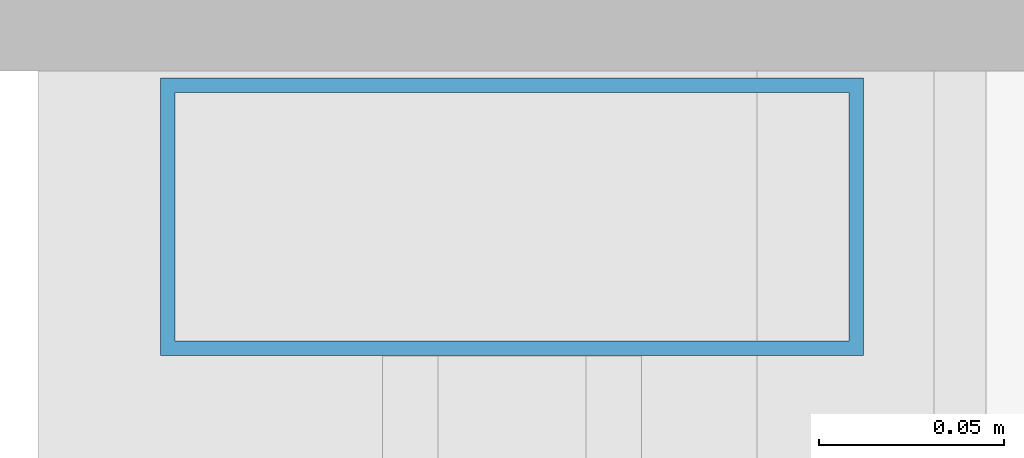
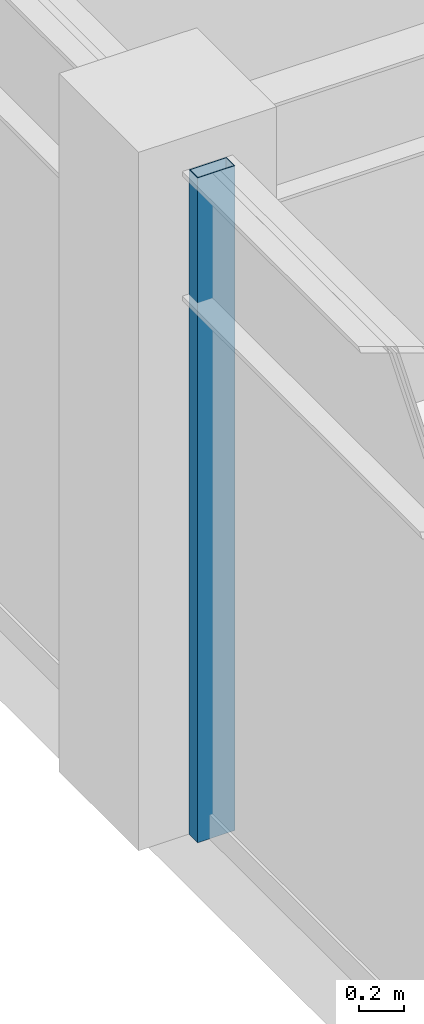
# One storey, part 8 of 34: 1 member, 1 element without a shape of its own.
"""IFC4 building model written with IfcOpenShell, lengths in metres."""

import ifcopenshell
import ifcopenshell.guid

model = None  # the IFC model being written
_history = None  # IfcOwnerHistory: only IFC2X3 demands one
_inside = {}  # id of a spatial element -> (the spatial element, [elements in it])
_under = {}  # id of a project, library or spatial element -> (it, [spatial elements below it])
_declared = {}  # id of a project -> (the project, [libraries it declares])
_typed = {}  # id of a type object -> (the type object, [elements of that type])
_made_of = {}  # id of a material, layer set ... -> (it, [elements and type objects made of it])


def new_model(schema):
    """Start an empty IFC model of exactly this schema.

    Asked for "IFC4X3", IfcOpenShell would pick the latest addendum, in which some entities
    have other attributes; the version numbers below select the first issue.
    IFC2X3 requires an IfcOwnerHistory on every rooted entity: one is made here for all.
    """
    global model, _history
    if schema == "IFC4X3":
        model = ifcopenshell.file(schema_version=(4, 3, 0, 0))
    else:
        model = ifcopenshell.file(schema=schema)
    _inside.clear()
    _under.clear()
    _declared.clear()
    _typed.clear()
    _made_of.clear()
    _history = None
    if model.schema == "IFC2X3":
        org = make("IfcOrganization", Name="unknown")
        user = make(
            "IfcPersonAndOrganization",
            ThePerson=make("IfcPerson", FamilyName="unknown"),
            TheOrganization=org,
        )
        app = make(
            "IfcApplication",
            ApplicationDeveloper=org,
            Version="unknown",
            ApplicationFullName="unknown",
            ApplicationIdentifier="unknown",
        )
        _history = make(
            "IfcOwnerHistory",
            OwningUser=user,
            OwningApplication=app,
            ChangeAction="ADDED",
            CreationDate=0,
        )
    return model


def make(cls, **values):
    """One entity of the class cls with the attributes given. An attribute that is None is left unset."""
    return model.create_entity(
        cls, **{name: value for name, value in values.items() if value is not None}
    )


def rooted(cls, **values):
    """An entity with a GlobalId (a new one), such as an element, a storey or a relation."""
    return make(cls, GlobalId=ifcopenshell.guid.new(), OwnerHistory=_history, **values)


def si_unit(unit_type, name, prefix=None):
    """IfcSIUnit, for example si_unit("LENGTHUNIT", "METRE", prefix="MILLI")."""
    return make("IfcSIUnit", UnitType=unit_type, Prefix=prefix, Name=name)


def assignment(units):
    """IfcUnitAssignment: the units of a project."""
    return None if units is None else make("IfcUnitAssignment", Units=units)


def point(xyz):
    """IfcCartesianPoint."""
    return None if xyz is None else make("IfcCartesianPoint", Coordinates=xyz)


def direction(xyz):
    """IfcDirection."""
    return None if xyz is None else make("IfcDirection", DirectionRatios=xyz)


def frame(location, z_axis=None, x_axis=None):
    """IfcAxis2Placement3D, a coordinate frame: its origin and axes. An axis left out is left unset."""
    return make(
        "IfcAxis2Placement3D",
        Location=point(location),
        Axis=direction(z_axis),
        RefDirection=direction(x_axis),
    )


def frame_2d(location, x_axis=None):
    """IfcAxis2Placement2D, a coordinate frame in the plane: its origin and x axis."""
    return make(
        "IfcAxis2Placement2D", Location=point(location), RefDirection=direction(x_axis)
    )


def origin():
    """The frame at (0, 0, 0) with its axes left unset."""
    return frame((0.0, 0.0, 0.0))


def origin_2d():
    """The frame at (0, 0) in the plane with its x axis left unset."""
    return frame_2d((0.0, 0.0))


def place(relative_to, where):
    """IfcLocalPlacement: puts the frame where relative to a parent placement (None: the world)."""
    return make(
        "IfcLocalPlacement", PlacementRelTo=relative_to, RelativePlacement=where
    )


def context(
    kind, dimensions, precision=None, world=None, true_north=None, identifier=None
):
    """IfcGeometricRepresentationContext, for example the 3D "Model" context."""
    return make(
        "IfcGeometricRepresentationContext",
        ContextIdentifier=identifier,
        ContextType=kind,
        CoordinateSpaceDimension=dimensions,
        Precision=precision,
        WorldCoordinateSystem=world,
        TrueNorth=true_north,
    )


def subcontext(parent, identifier, kind, view, scale=None):
    """IfcGeometricRepresentationSubContext, for example "Body" below "Model"."""
    return make(
        "IfcGeometricRepresentationSubContext",
        ContextIdentifier=identifier,
        ContextType=kind,
        ParentContext=parent,
        TargetScale=scale,
        TargetView=view,
    )


def project(units=None, contexts=None):
    """IfcProject with its units and contexts."""
    return rooted(
        "IfcProject",
        Name="project",
        RepresentationContexts=contexts,
        UnitsInContext=assignment(units),
    )


def spatial(cls, under=None, at=None, **own):
    """A site, building, storey or space (cls), placed at a placement, below another one or the project."""
    s = rooted(cls, ObjectPlacement=at, **own)
    if under is not None:
        _under.setdefault(under.id(), (under, []))[1].append(s)
    return s


def profile(cls, at=None, kind="AREA", **sizes):
    """A parametric profile (cls). Its sizes go by their IFC names, for example OverallWidth=200.0."""
    return make(cls, ProfileType=kind, Position=at, **sizes)


def hollow_rectangle(**sizes):
    """IfcRectangleHollowProfileDef."""
    return profile("IfcRectangleHollowProfileDef", **sizes)


def extrude(swept, where, along, depth):
    """IfcExtrudedAreaSolid: the profile swept, set in the frame where, extruded along a direction by depth."""
    return make(
        "IfcExtrudedAreaSolid",
        SweptArea=swept,
        Position=where,
        ExtrudedDirection=direction(along),
        Depth=depth,
    )


def shape(context_of_items, identifier, shape_type, items):
    """IfcShapeRepresentation: the items that make up one representation, for example the "Body"."""
    return make(
        "IfcShapeRepresentation",
        ContextOfItems=context_of_items,
        RepresentationIdentifier=identifier,
        RepresentationType=shape_type,
        Items=items,
    )


def material(Name=None, Category=None):
    """IfcMaterial."""
    return make("IfcMaterial", Name=Name, Category=Category)


def layer(
    of_material, thickness, ventilated=None, Name=None, Category=None, Priority=None
):
    """IfcMaterialLayer: one layer of a wall or slab, of a material (None: an air gap)."""
    return make(
        "IfcMaterialLayer",
        Material=of_material,
        LayerThickness=thickness,
        IsVentilated=ventilated,
        Name=Name,
        Category=Category,
        Priority=Priority,
    )


def layer_set(layers, Name=None):
    """IfcMaterialLayerSet."""
    return make("IfcMaterialLayerSet", MaterialLayers=layers, LayerSetName=Name)


def material_profile(
    of_material, cross_section, Name=None, Category=None, Priority=None
):
    """IfcMaterialProfile: a cross section and its material."""
    return make(
        "IfcMaterialProfile",
        Name=Name,
        Material=of_material,
        Profile=cross_section,
        Priority=Priority,
        Category=Category,
    )


def profile_set(profiles, Name=None, composite=None):
    """IfcMaterialProfileSet."""
    return make(
        "IfcMaterialProfileSet",
        Name=Name,
        MaterialProfiles=profiles,
        CompositeProfile=composite,
    )


def made_of(thing, what):
    """Note that an element or type object is made of a material, layer set ...; save() writes the relation."""
    if what is not None:
        _made_of.setdefault(what.id(), (what, []))[1].append(thing)
    return thing


def type_object(cls, material=None, **own):
    """A type object (cls), such as IfcWallType, which elements share."""
    return made_of(rooted(cls, **own), material)


def element(
    cls,
    number,
    at=None,
    inside=None,
    cuts=None,
    type_object=None,
    material=None,
    context=None,
    identifier="Body",
    shape_type=None,
    held_by="IfcProductDefinitionShape",
    body=None,
    shapes=None,
    **own,
):
    """One element of the class cls, such as IfcWall. Its Tag is "e" and its number.

    at: its placement. inside: the storey or other place that contains it. cuts: it is an
    opening in that element (IfcRelVoidsElement). A single representation is given by context,
    identifier, shape_type and body (its items); several are given by shapes. held_by: the class
    of the entity that holds the representations. save() writes the other relations.
    """
    e = rooted(cls, Tag="e%d" % number, ObjectPlacement=at, **own)
    if body is not None:
        shapes = [shape(context, identifier, shape_type, body)]
    if shapes is not None:
        e.Representation = make(held_by, Representations=shapes)
    if inside is not None:
        _inside.setdefault(inside.id(), (inside, []))[1].append(e)
    if cuts is not None:
        rooted(
            "IfcRelVoidsElement", RelatingBuildingElement=cuts, RelatedOpeningElement=e
        )
    if type_object is not None:
        _typed.setdefault(type_object.id(), (type_object, []))[1].append(e)
    return made_of(e, material)


def aggregate(whole, parts):
    """IfcRelAggregates: a whole, such as a stair, and the parts it consists of."""
    return rooted("IfcRelAggregates", RelatingObject=whole, RelatedObjects=parts)


def save(model, path):
    """Write the relations noted so far, then the file.

    IfcRelAggregates (storeys below a building ...), IfcRelContainedInSpatialStructure (elements
    in a storey), IfcRelDefinesByType, IfcRelAssociatesMaterial and IfcRelDeclares: one each for
    every whole, place, type object, material and project.
    """
    for whole, parts in _under.values():
        aggregate(whole, parts)
    for where, things in _inside.values():
        rooted(
            "IfcRelContainedInSpatialStructure",
            RelatedElements=things,
            RelatingStructure=where,
        )
    for kind, things in _typed.values():
        rooted("IfcRelDefinesByType", RelatedObjects=things, RelatingType=kind)
    for what, things in _made_of.values():
        rooted("IfcRelAssociatesMaterial", RelatedObjects=things, RelatingMaterial=what)
    for by, libraries in _declared.values():
        rooted("IfcRelDeclares", RelatingContext=by, RelatedDefinitions=libraries)
    model.write(path)


model = new_model("IFC4")

# Units and contexts
model_context = context("Model", 3, precision=1e-05, world=origin(), true_north=direction((0.0, 1.0)))
body_context = subcontext(model_context, "Body", "Model", "MODEL_VIEW")
ifc_project = project(units=[si_unit("LENGTHUNIT", "METRE"), si_unit("AREAUNIT", "SQUARE_METRE"), si_unit("VOLUMEUNIT", "CUBIC_METRE"), si_unit("PLANEANGLEUNIT", "RADIAN"), si_unit("MASSUNIT", "GRAM", prefix="KILO")], contexts=[model_context])

# Site, building, storey
site_placement = place(None, origin())
site = spatial("IfcSite", under=ifc_project, at=site_placement, CompositionType="ELEMENT")
building_placement = place(site_placement, origin())
building = spatial("IfcBuilding", under=site, at=building_placement, Name="Surkhivell Harbour Commons", CompositionType="ELEMENT")
storey_placement = place(building_placement, frame((0.0, 0.0, 258.75)))
storey = spatial("IfcBuildingStorey", under=building, at=storey_placement, Name="L67", CompositionType="ELEMENT", Elevation=258.75)

# Curtain wall, member
ifc_material_1 = material(Name="Anodised pale-metal aluminium and insulated glazing", Category="aluminium")
ifc_layer = layer(ifc_material_1, 0.175048828125)
ifc_layer_set = layer_set([ifc_layer], Name="Anodised pale-metal aluminium and insulated glazing")
curtain_wall_type = type_object("IfcCurtainWallType", Name="CW-SYS-Z4", PredefinedType="NOTDEFINED", material=ifc_layer_set)
curtain_wall_placement = place(storey_placement, origin())
curtain_wall = element("IfcCurtainWall", 1, at=curtain_wall_placement, inside=storey, type_object=curtain_wall_type, Name="L67 Curtain Wall CW-L67-E12S1", PredefinedType="NOTDEFINED")
ifc_material_2 = material(Name="Anodised pale-metal aluminium alloy 6063-T6", Category="aluminium")
ifc_material_profile = material_profile(ifc_material_2, hollow_rectangle(XDim=0.074951171875, YDim=0.18994140625, WallThickness=0.00390625, at=origin_2d()), Name="ALU-MULL-75x190")
ifc_profile_set = profile_set([ifc_material_profile], Name="Anodised pale-metal aluminium alloy 6063-T6")
member_type = type_object("IfcMemberType", Name="CWM-190", PredefinedType="MULLION", material=ifc_profile_set)
member_placement = place(storey_placement, frame((-27.0, -0.389404296875, 0.0), z_axis=(0.0, 0.0, 1.0), x_axis=(0.0, -1.0, 0.0)))
member = element("IfcMember", 2, at=member_placement, type_object=member_type, Name="CW-Z4 mullion 5", PredefinedType="MULLION", context=body_context, shape_type="SweptSolid", body=[
    extrude(hollow_rectangle(XDim=0.074951171875, YDim=0.18994140625, WallThickness=0.00390625, at=origin_2d()), origin(), (0.0, 0.0, 1.0), 3.570068359375),
])
aggregate(curtain_wall, [member])

save(model, "model.ifc")
